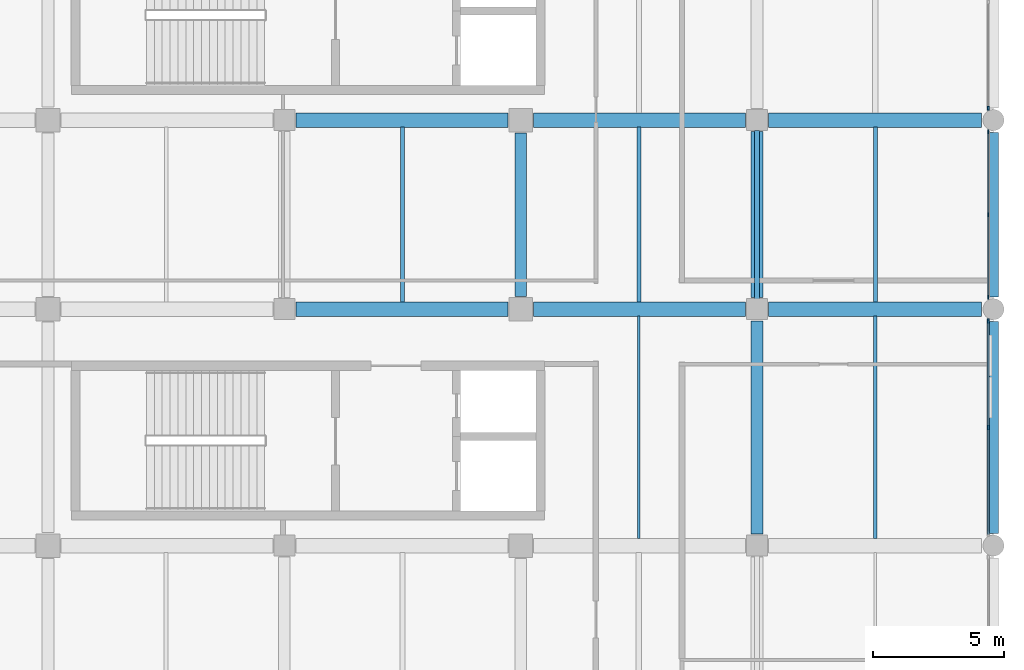
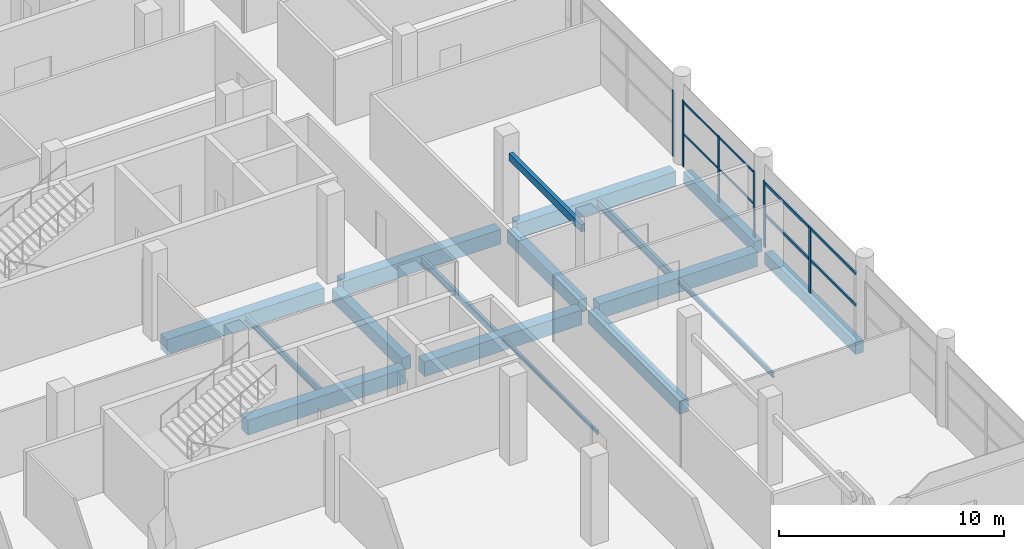
# One storey, part 32 of 111: 16 beams, 11 members, 3 elements without a shape of their own.
"""IFC4 building model written with IfcOpenShell, lengths in metres."""

from ifc_helpers import new_model, si_unit, direction, frame, origin, origin_2d, place, context, subcontext, project, spatial, rectangle, hollow_rectangle, i_section, extrude, material, material_profile, profile_set, type_object, element, aggregate, save


model = new_model("IFC4")

# Units and contexts
model_context = context("Model", 3, precision=1e-05, world=origin(), true_north=direction((0.0, 1.0)))
body_context = subcontext(model_context, "Body", "Model", "MODEL_VIEW")
ifc_project = project(units=[si_unit("LENGTHUNIT", "METRE"), si_unit("AREAUNIT", "SQUARE_METRE"), si_unit("VOLUMEUNIT", "CUBIC_METRE"), si_unit("PLANEANGLEUNIT", "RADIAN"), si_unit("MASSUNIT", "GRAM", prefix="KILO"), si_unit("THERMODYNAMICTEMPERATUREUNIT", "KELVIN"), si_unit("POWERUNIT", "WATT")], contexts=[model_context])

# Site, building, storey
site_placement = place(None, origin())
site = spatial("IfcSite", under=ifc_project, at=site_placement, CompositionType="ELEMENT")
building_placement = place(site_placement, origin())
building = spatial("IfcBuilding", under=site, at=building_placement, Name="Sindhuravela Promenade Stadium", CompositionType="ELEMENT")
storey_placement = place(building_placement, frame((0.0, 0.0, 9.60009765625)))
storey = spatial("IfcBuildingStorey", under=building, at=storey_placement, Name="L02", CompositionType="ELEMENT", Elevation=9.60009765625)

# Curtain wall, members
ifc_material_1 = material(Name="Anodised architectural aluminium 6063-T6", Category="aluminium")
curtain_wall_type_1 = type_object("IfcCurtainWallType", Name="CW-MOD-3", PredefinedType="NOTDEFINED", material=ifc_material_1)
curtain_wall_1_placement = place(storey_placement, origin())
curtain_wall_1 = element("IfcCurtainWall", 1, at=curtain_wall_1_placement, inside=storey, type_object=curtain_wall_type_1, Name="Bronze curtain wall CW-EAST-L02-114", PredefinedType="NOTDEFINED")
ifc_material_profile_1 = material_profile(ifc_material_1, rectangle(XDim=0.074951171875, YDim=0.175048828125, at=origin_2d()), Name="ALU MULL 75x175")
ifc_profile_set_1 = profile_set([ifc_material_profile_1], Name="Anodised architectural aluminium 6063-T6")
member_type_1 = type_object("IfcMemberType", Name="CW-MUL-1", PredefinedType="MULLION", material=ifc_profile_set_1)
member_1_placement = place(storey_placement, frame((215.800048828125, 60.75, 0.0), z_axis=(0.0, 0.0, 1.0), x_axis=(1.0, 0.0, 0.0)))
member_1 = element("IfcMember", 2, at=member_1_placement, type_object=member_type_1, Name="Curtain wall mullion CW-EAST-L02-114-M1", PredefinedType="MULLION", context=body_context, shape_type="SweptSolid", body=[
    extrude(rectangle(XDim=0.074951171875, YDim=0.175048828125, at=origin_2d()), origin(), (0.0, 0.0, 1.0), 3.579833984375),
])
member_2_placement = place(storey_placement, frame((215.800048828125, 56.699951171875, 0.0), z_axis=(0.0, 0.0, 1.0), x_axis=(1.0, 0.0, 0.0)))
member_2 = element("IfcMember", 3, at=member_2_placement, type_object=member_type_1, Name="Curtain wall mullion CW-EAST-L02-114-M2", PredefinedType="MULLION", context=body_context, shape_type="SweptSolid", body=[
    extrude(rectangle(XDim=0.074951171875, YDim=0.175048828125, at=origin_2d()), origin(), (0.0, 0.0, 1.0), 3.579833984375),
])

# Curtain wall, member
curtain_wall_type_2 = type_object("IfcCurtainWallType", Name="CW-MOD-1", PredefinedType="NOTDEFINED", material=ifc_material_1)
curtain_wall_2_placement = place(storey_placement, origin())
curtain_wall_2 = element("IfcCurtainWall", 4, at=curtain_wall_2_placement, inside=storey, type_object=curtain_wall_type_2, Name="Bronze curtain wall CW-EAST-L02-112", PredefinedType="NOTDEFINED")
ifc_material_profile_2 = material_profile(ifc_material_1, rectangle(XDim=0.06005859375, YDim=0.139892578125, at=origin_2d()), Name="ALU M60x140")
ifc_profile_set_2 = profile_set([ifc_material_profile_2], Name="Anodised architectural aluminium 6063-T6")
member_type_2 = type_object("IfcMemberType", Name="CW-MUL-5", PredefinedType="MULLION", material=ifc_profile_set_2)
member_3_placement = place(storey_placement, frame((215.800048828125, 68.85009765625, 0.0), z_axis=(0.0, 0.0, 1.0), x_axis=(1.0, 0.0, 0.0)))
member_3 = element("IfcMember", 5, at=member_3_placement, type_object=member_type_2, Name="Curtain wall mullion CW-EAST-L02-112-M3", PredefinedType="MULLION", context=body_context, shape_type="SweptSolid", body=[
    extrude(rectangle(XDim=0.06005859375, YDim=0.139892578125, at=origin_2d()), origin(), (0.0, 0.0, 1.0), 3.579833984375),
])
aggregate(curtain_wall_2, [member_3])

# Curtain wall, members
curtain_wall_type_3 = type_object("IfcCurtainWallType", Name="CW-MOD-2", PredefinedType="NOTDEFINED", material=ifc_material_1)
curtain_wall_3_placement = place(storey_placement, origin())
curtain_wall_3 = element("IfcCurtainWall", 6, at=curtain_wall_3_placement, inside=storey, type_object=curtain_wall_type_3, Name="Bronze curtain wall CW-EAST-L02-113", PredefinedType="NOTDEFINED")
ifc_material_profile_3 = material_profile(ifc_material_1, rectangle(XDim=0.054931640625, YDim=0.14990234375, at=origin_2d()), Name="ALU M55x150")
ifc_profile_set_3 = profile_set([ifc_material_profile_3], Name="Anodised architectural aluminium 6063-T6")
member_type_3 = type_object("IfcMemberType", Name="CW-MUL-6", PredefinedType="MULLION", material=ifc_profile_set_3)
member_4_placement = place(storey_placement, frame((215.800048828125, 67.949951171875, 0.0), z_axis=(0.0, 0.0, 1.0), x_axis=(1.0, 0.0, 0.0)))
member_4 = element("IfcMember", 7, at=member_4_placement, type_object=member_type_3, Name="Curtain wall mullion CW-EAST-L02-113-M1", PredefinedType="MULLION", context=body_context, shape_type="SweptSolid", body=[
    extrude(rectangle(XDim=0.054931640625, YDim=0.14990234375, at=origin_2d()), origin(), (0.0, 0.0, 1.0), 3.579833984375),
])
member_5_placement = place(storey_placement, frame((215.800048828125, 64.800048828125, 0.0), z_axis=(0.0, 0.0, 1.0), x_axis=(1.0, 0.0, 0.0)))
member_5 = element("IfcMember", 8, at=member_5_placement, type_object=member_type_3, Name="Curtain wall mullion CW-EAST-L02-113-M2", PredefinedType="MULLION", context=body_context, shape_type="SweptSolid", body=[
    extrude(rectangle(XDim=0.054931640625, YDim=0.14990234375, at=origin_2d()), origin(), (0.0, 0.0, 1.0), 3.579833984375),
])
member_6_placement = place(storey_placement, frame((215.800048828125, 61.64990234375, 0.0), z_axis=(0.0, 0.0, 1.0), x_axis=(1.0, 0.0, 0.0)))
member_6 = element("IfcMember", 9, at=member_6_placement, type_object=member_type_3, Name="Curtain wall mullion CW-EAST-L02-113-M3", PredefinedType="MULLION", context=body_context, shape_type="SweptSolid", body=[
    extrude(rectangle(XDim=0.054931640625, YDim=0.14990234375, at=origin_2d()), origin(), (0.0, 0.0, 1.0), 3.579833984375),
])

# Member
ifc_material_profile_4 = material_profile(ifc_material_1, rectangle(XDim=0.074951171875, YDim=0.14990234375, at=origin_2d()), Name="ALU TRAN 75x150")
ifc_profile_set_4 = profile_set([ifc_material_profile_4], Name="Anodised architectural aluminium 6063-T6")
member_type_4 = type_object("IfcMemberType", Name="CW-TRN-1", PredefinedType="USERDEFINED", material=ifc_profile_set_4)
member_7_placement = place(storey_placement, frame((215.800048828125, 60.77490234375, 1.789794921875), z_axis=(0.0, -1.0, 0.0), x_axis=(1.0, 0.0, 0.0)))
member_7 = element("IfcMember", 10, at=member_7_placement, type_object=member_type_4, Name="Curtain wall transom CW-EAST-L02-114-T1", ObjectType="TRANSOM", PredefinedType="USERDEFINED", context=body_context, shape_type="SweptSolid", body=[
    extrude(rectangle(XDim=0.074951171875, YDim=0.14990234375, at=origin_2d()), origin(), (0.0, 0.0, 1.0), 8.14990234375),
])

member_8_placement = place(storey_placement, frame((215.800048828125, 60.77490234375, 3.5), z_axis=(0.0, -1.0, 0.0), x_axis=(1.0, 0.0, 0.0)))
member_8 = element("IfcMember", 11, at=member_8_placement, type_object=member_type_4, Name="Curtain wall transom CW-EAST-L02-114-T2", ObjectType="TRANSOM", PredefinedType="USERDEFINED", context=body_context, shape_type="SweptSolid", body=[
    extrude(rectangle(XDim=0.074951171875, YDim=0.14990234375, at=origin_2d()), origin(), (0.0, 0.0, 1.0), 8.14990234375),
])

aggregate(curtain_wall_1, [member_1, member_2, member_7, member_8])

ifc_material_profile_5 = material_profile(ifc_material_1, rectangle(XDim=0.054931640625, YDim=0.10498046875, at=origin_2d()), Name="ALU T55x105")
ifc_profile_set_5 = profile_set([ifc_material_profile_5], Name="Anodised architectural aluminium 6063-T6")
member_type_5 = type_object("IfcMemberType", Name="CW-TRN-6", PredefinedType="USERDEFINED", material=ifc_profile_set_5)
member_9_placement = place(storey_placement, frame((215.800048828125, 67.97509765625, 1.789794921875), z_axis=(0.0, -1.0, 0.0), x_axis=(1.0, 0.0, 0.0)))
member_9 = element("IfcMember", 12, at=member_9_placement, type_object=member_type_5, Name="Curtain wall transom CW-EAST-L02-113-T1", ObjectType="TRANSOM", PredefinedType="USERDEFINED", context=body_context, shape_type="SweptSolid", body=[
    extrude(rectangle(XDim=0.054931640625, YDim=0.10498046875, at=origin_2d()), origin(), (0.0, 0.0, 1.0), 6.35009765625),
])

member_10_placement = place(storey_placement, frame((215.800048828125, 67.97509765625, 3.5), z_axis=(0.0, -1.0, 0.0), x_axis=(1.0, 0.0, 0.0)))
member_10 = element("IfcMember", 13, at=member_10_placement, type_object=member_type_5, Name="Curtain wall transom CW-EAST-L02-113-T2", ObjectType="TRANSOM", PredefinedType="USERDEFINED", context=body_context, shape_type="SweptSolid", body=[
    extrude(rectangle(XDim=0.054931640625, YDim=0.10498046875, at=origin_2d()), origin(), (0.0, 0.0, 1.0), 6.35009765625),
])

aggregate(curtain_wall_3, [member_4, member_5, member_6, member_9, member_10])

# Beams
ifc_material_2 = material(Name="Concrete M40", Category="concrete")
ifc_material_profile_6 = material_profile(ifc_material_2, rectangle(XDim=0.39990234375, YDim=0.64990234375, at=origin_2d()), Name="RC 400x650")
ifc_profile_set_6 = profile_set([ifc_material_profile_6], Name="Concrete M40")
beam_type_1 = type_object("IfcBeamType", Name="RC-BM-400x650", PredefinedType="SPANDREL", material=ifc_profile_set_6)
beam_1_placement = place(storey_placement, frame((216.0, 52.6650390625, -0.60498046875), z_axis=(0.0, 1.0, 0.0), x_axis=(-1.0, 0.0, 0.0)))
element("IfcBeam", 14, at=beam_1_placement, inside=storey, type_object=beam_type_1, Name="Primary beam SP01 EAST L02", PredefinedType="SPANDREL", context=body_context, shape_type="SweptSolid", body=[
    extrude(rectangle(XDim=0.39990234375, YDim=0.64990234375, at=origin_2d()), origin(), (0.0, 0.0, 1.0), 8.070068359375),
])
beam_2_placement = place(storey_placement, frame((216.0, 61.6650390625, -0.60498046875), z_axis=(0.0, 1.0, 0.0), x_axis=(-1.0, 0.0, 0.0)))
element("IfcBeam", 15, at=beam_2_placement, inside=storey, type_object=beam_type_1, Name="Primary beam SP01 EAST L02", PredefinedType="SPANDREL", context=body_context, shape_type="SweptSolid", body=[
    extrude(rectangle(XDim=0.39990234375, YDim=0.64990234375, at=origin_2d()), origin(), (0.0, 0.0, 1.0), 6.27001953125),
])
ifc_material_profile_7 = material_profile(ifc_material_2, rectangle(XDim=0.449951171875, YDim=0.699951171875, at=origin_2d()), Name="RC 450x700")
ifc_profile_set_7 = profile_set([ifc_material_profile_7], Name="Concrete M40")
beam_type_2 = type_object("IfcBeamType", Name="RC-BM-450x700", PredefinedType="BEAM", material=ifc_profile_set_7)
beam_3_placement = place(storey_placement, frame((198.0, 61.68994140625, -0.630126953125), z_axis=(0.0, 1.0, 0.0), x_axis=(-1.0, 0.0, 0.0)))
element("IfcBeam", 16, at=beam_3_placement, inside=storey, type_object=beam_type_2, Name="Primary beam GB07 EAST L02", PredefinedType="BEAM", context=body_context, shape_type="SweptSolid", body=[
    extrude(rectangle(XDim=0.449951171875, YDim=0.699951171875, at=origin_2d()), origin(), (0.0, 0.0, 1.0), 6.219970703125),
])
beam_4_placement = place(storey_placement, frame((207.0, 52.639892578125, -0.630126953125), z_axis=(0.0, 1.0, 0.0), x_axis=(-1.0, 0.0, 0.0)))
element("IfcBeam", 17, at=beam_4_placement, inside=storey, type_object=beam_type_2, Name="Primary beam GB07 EAST L02", PredefinedType="BEAM", context=body_context, shape_type="SweptSolid", body=[
    extrude(rectangle(XDim=0.449951171875, YDim=0.699951171875, at=origin_2d()), origin(), (0.0, 0.0, 1.0), 8.1201171875),
])
beam_5_placement = place(storey_placement, frame((207.0, 61.639892578125, -0.630126953125), z_axis=(0.0, 1.0, 0.0), x_axis=(-1.0, 0.0, 0.0)))
element("IfcBeam", 18, at=beam_5_placement, inside=storey, type_object=beam_type_2, Name="Primary beam GB07 EAST L02", PredefinedType="BEAM", context=body_context, shape_type="SweptSolid", body=[
    extrude(rectangle(XDim=0.449951171875, YDim=0.699951171875, at=origin_2d()), origin(), (0.0, 0.0, 1.0), 6.320068359375),
])
ifc_material_profile_8 = material_profile(ifc_material_2, rectangle(XDim=0.550048828125, YDim=0.800048828125, at=origin_2d()), Name="RC 550x800")
ifc_profile_set_8 = profile_set([ifc_material_profile_8], Name="Concrete M40")
beam_type_3 = type_object("IfcBeamType", Name="RC-BM-550x800", PredefinedType="BEAM", material=ifc_profile_set_8)
for number, where, z_axis, x_axis, name in (
    (19, (189.43994140625, 61.199951171875, -0.68017578125), (1.0, 0.0, 0.0), (0.0, 1.0, 0.0), "Primary girder GB05 EAST L02"),
    (20, (198.489990234375, 61.199951171875, -0.68017578125), (1.0, 0.0, 0.0), (0.0, 1.0, 0.0), "Primary girder GB05 EAST L02"),
):
    element("IfcBeam", number, at=place(storey_placement, frame(where, z_axis=z_axis, x_axis=x_axis)), inside=storey, type_object=beam_type_3, Name=name, PredefinedType="BEAM", context=body_context, shape_type="SweptSolid", body=[
        extrude(rectangle(XDim=0.550048828125, YDim=0.800048828125, at=origin_2d()), origin(), (0.0, 0.0, 1.0), 8.070068359375),
    ])
beam_6_placement = place(storey_placement, frame((207.43994140625, 61.199951171875, -0.68017578125), z_axis=(1.0, 0.0, 0.0), x_axis=(0.0, 1.0, 0.0)))
element("IfcBeam", 21, at=beam_6_placement, inside=storey, type_object=beam_type_3, Name="Primary girder GB05 EAST L02", PredefinedType="BEAM", context=body_context, shape_type="SweptSolid", body=[
    extrude(rectangle(XDim=0.550048828125, YDim=0.800048828125, at=origin_2d()), origin(), (0.0, 0.0, 1.0), 8.094970703125),
])
for number, where, z_axis, x_axis, name in (
    (22, (189.43994140625, 68.39990234375, -0.68017578125), (1.0, 0.0, 0.0), (0.0, 1.0, 0.0), "Primary girder GB05 EAST L02"),
    (23, (198.489990234375, 68.39990234375, -0.68017578125), (1.0, 0.0, 0.0), (0.0, 1.0, 0.0), "Primary girder GB05 EAST L02"),
):
    element("IfcBeam", number, at=place(storey_placement, frame(where, z_axis=z_axis, x_axis=x_axis)), inside=storey, type_object=beam_type_3, Name=name, PredefinedType="BEAM", context=body_context, shape_type="SweptSolid", body=[
        extrude(rectangle(XDim=0.550048828125, YDim=0.800048828125, at=origin_2d()), origin(), (0.0, 0.0, 1.0), 8.070068359375),
    ])
beam_7_placement = place(storey_placement, frame((207.43994140625, 68.39990234375, -0.68017578125), z_axis=(1.0, 0.0, 0.0), x_axis=(0.0, 1.0, 0.0)))
element("IfcBeam", 24, at=beam_7_placement, inside=storey, type_object=beam_type_3, Name="Primary girder GB05 EAST L02", PredefinedType="BEAM", context=body_context, shape_type="SweptSolid", body=[
    extrude(rectangle(XDim=0.550048828125, YDim=0.800048828125, at=origin_2d()), origin(), (0.0, 0.0, 1.0), 8.094970703125),
])
ifc_material_3 = material(Name="Steel E350 (IS 2062 E350BR)", Category="steel")
ifc_material_profile_9 = material_profile(ifc_material_3, i_section(OverallWidth=0.10009765625, OverallDepth=0.199951171875, WebThickness=0.005615234375, FlangeThickness=0.0107421875, FilletRadius=0.010986328125, at=origin_2d()), Name="ISMB 200")
ifc_profile_set_9 = profile_set([ifc_material_profile_9], Name="Steel E350 (IS 2062 E350BR)")
beam_type_4 = type_object("IfcBeamType", Name="ST-BM-MB200", PredefinedType="JOIST", material=ifc_profile_set_9)
beam_8_placement = place(storey_placement, frame((202.5, 52.465087890625, -0.380126953125), z_axis=(0.0, 1.0, 0.0), x_axis=(-1.0, 0.0, 0.0)))
element("IfcBeam", 25, at=beam_8_placement, inside=storey, type_object=beam_type_4, Name="Secondary floor joist SB01 EAST L02", PredefinedType="JOIST", context=body_context, shape_type="SweptSolid", body=[
    extrude(i_section(OverallWidth=0.10009765625, OverallDepth=0.199951171875, WebThickness=0.005615234375, FlangeThickness=0.0107421875, FilletRadius=0.010986328125, at=origin_2d()), origin(), (0.0, 0.0, 1.0), 8.469970703125),
])
ifc_material_profile_10 = material_profile(ifc_material_3, i_section(OverallWidth=0.125, OverallDepth=0.25, WebThickness=0.0068359375, FlangeThickness=0.012451171875, FilletRadius=0.012939453125, at=origin_2d()), Name="ISMB 250")
ifc_profile_set_10 = profile_set([ifc_material_profile_10], Name="Steel E350 (IS 2062 E350BR)")
beam_type_5 = type_object("IfcBeamType", Name="ST-BM-MB250", PredefinedType="JOIST", material=ifc_profile_set_10)
beam_9_placement = place(storey_placement, frame((211.5, 52.465087890625, -0.405029296875), z_axis=(0.0, 1.0, 0.0), x_axis=(-1.0, 0.0, 0.0)))
element("IfcBeam", 26, at=beam_9_placement, inside=storey, type_object=beam_type_5, Name="Secondary floor joist SB02 EAST L02", PredefinedType="JOIST", context=body_context, shape_type="SweptSolid", body=[
    extrude(i_section(OverallWidth=0.125, OverallDepth=0.25, WebThickness=0.0068359375, FlangeThickness=0.012451171875, FilletRadius=0.012939453125, at=origin_2d()), origin(), (0.0, 0.0, 1.0), 8.469970703125),
])
ifc_material_profile_11 = material_profile(ifc_material_3, i_section(OverallWidth=0.139892578125, OverallDepth=0.35009765625, WebThickness=0.008056640625, FlangeThickness=0.01416015625, FilletRadius=0.013916015625, at=origin_2d()), Name="ISMB 350")
ifc_profile_set_11 = profile_set([ifc_material_profile_11], Name="Steel E350 (IS 2062 E350BR)")
beam_type_6 = type_object("IfcBeamType", Name="ST-BM-MB350", PredefinedType="JOIST", material=ifc_profile_set_11)
beam_10_placement = place(storey_placement, frame((193.5, 61.465087890625, -0.455078125), z_axis=(0.0, 1.0, 0.0), x_axis=(-1.0, 0.0, 0.0)))
element("IfcBeam", 27, at=beam_10_placement, inside=storey, type_object=beam_type_6, Name="Secondary floor joist SB04 EAST L02", PredefinedType="JOIST", context=body_context, shape_type="SweptSolid", body=[
    extrude(i_section(OverallWidth=0.139892578125, OverallDepth=0.35009765625, WebThickness=0.008056640625, FlangeThickness=0.01416015625, FilletRadius=0.013916015625, at=origin_2d()), origin(), (0.0, 0.0, 1.0), 6.669921875),
])
ifc_material_profile_12 = material_profile(ifc_material_3, i_section(OverallWidth=0.139892578125, OverallDepth=0.39990234375, WebThickness=0.0087890625, FlangeThickness=0.01611328125, FilletRadius=0.013916015625, at=origin_2d()), Name="ISMB 400")
ifc_profile_set_12 = profile_set([ifc_material_profile_12], Name="Steel E350 (IS 2062 E350BR)")
beam_type_7 = type_object("IfcBeamType", Name="ST-BM-MB400", PredefinedType="BEAM", material=ifc_profile_set_12)
beam_11_placement = place(storey_placement, frame((202.5, 61.465087890625, -0.47998046875), z_axis=(0.0, 1.0, 0.0), x_axis=(-1.0, 0.0, 0.0)))
element("IfcBeam", 28, at=beam_11_placement, inside=storey, type_object=beam_type_7, Name="Secondary floor joist SB05 EAST L02", PredefinedType="BEAM", context=body_context, shape_type="SweptSolid", body=[
    extrude(i_section(OverallWidth=0.139892578125, OverallDepth=0.39990234375, WebThickness=0.0087890625, FlangeThickness=0.01611328125, FilletRadius=0.013916015625, at=origin_2d()), origin(), (0.0, 0.0, 1.0), 6.669921875),
])
ifc_material_profile_13 = material_profile(ifc_material_3, i_section(OverallWidth=0.14990234375, OverallDepth=0.449951171875, WebThickness=0.009521484375, FlangeThickness=0.017333984375, FilletRadius=0.014892578125, at=origin_2d()), Name="ISMB 450")
ifc_profile_set_13 = profile_set([ifc_material_profile_13], Name="Steel E350 (IS 2062 E350BR)")
beam_type_8 = type_object("IfcBeamType", Name="ST-BM-MB450", PredefinedType="BEAM", material=ifc_profile_set_13)
beam_12_placement = place(storey_placement, frame((211.5, 61.465087890625, -0.505126953125), z_axis=(0.0, 1.0, 0.0), x_axis=(-1.0, 0.0, 0.0)))
element("IfcBeam", 29, at=beam_12_placement, inside=storey, type_object=beam_type_8, Name="Secondary floor joist SB06 EAST L02", PredefinedType="BEAM", context=body_context, shape_type="SweptSolid", body=[
    extrude(i_section(OverallWidth=0.14990234375, OverallDepth=0.449951171875, WebThickness=0.009521484375, FlangeThickness=0.017333984375, FilletRadius=0.014892578125, at=origin_2d()), origin(), (0.0, 0.0, 1.0), 6.669921875),
])

# Member
ifc_material_profile_14 = material_profile(ifc_material_3, hollow_rectangle(XDim=0.199951171875, YDim=0.39990234375, WallThickness=0.011962890625, at=origin_2d()), Name="RHS 400x200x12")
ifc_profile_set_14 = profile_set([ifc_material_profile_14], Name="Steel E350 (IS 2062 E350BR)")
member_type_6 = type_object("IfcMemberType", Name="ST-MB-RHS400", PredefinedType="CHORD", material=ifc_profile_set_14)
member_11_placement = place(storey_placement, frame((207.0, 61.592041015625, 3.599853515625), z_axis=(0.0, 1.0, 0.0), x_axis=(-1.0, 0.0, 0.0)))
element("IfcMember", 30, at=member_11_placement, inside=storey, type_object=member_type_6, Name="Portal tie member MC03-20", PredefinedType="CHORD", context=body_context, shape_type="SweptSolid", body=[
    extrude(hollow_rectangle(XDim=0.199951171875, YDim=0.39990234375, WallThickness=0.011962890625, at=origin_2d()), origin(), (0.0, 0.0, 1.0), 6.416015625),
])

save(model, "model.ifc")
